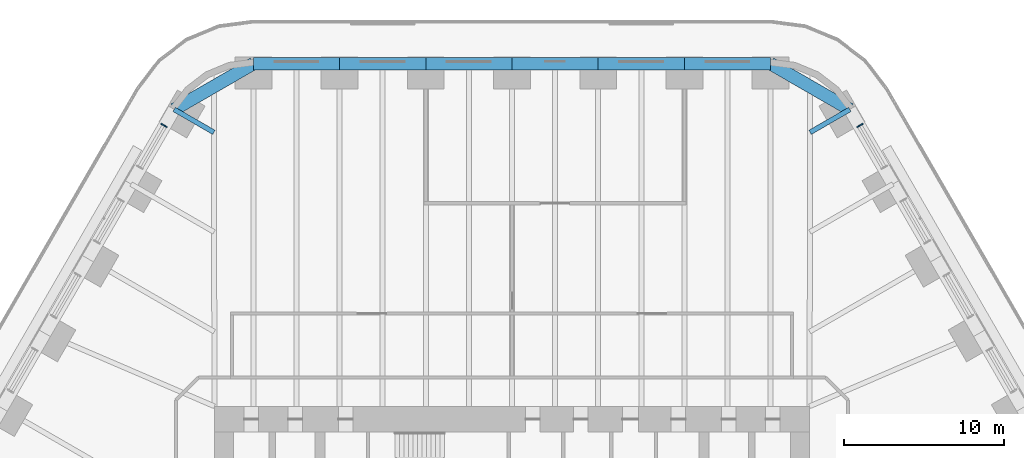
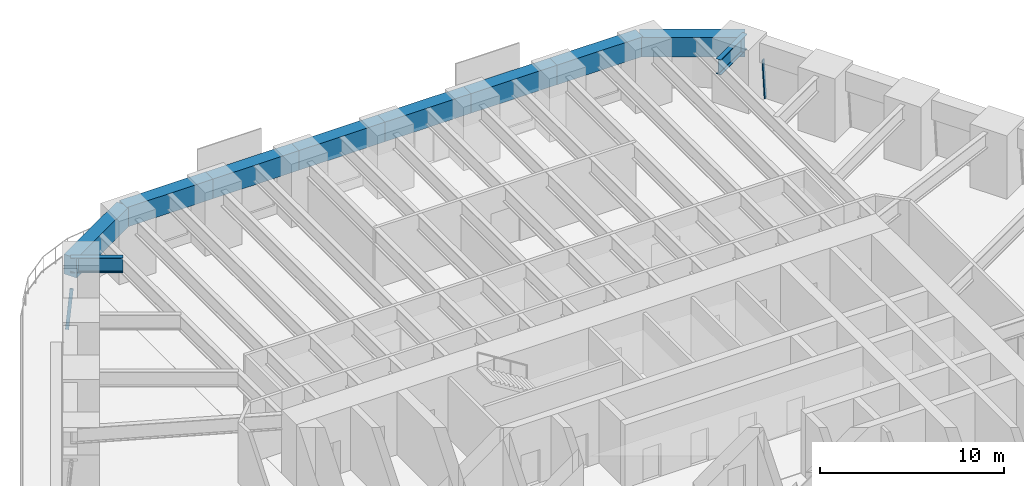
# One storey, part 14 of 23: 10 beams, 2 members, 2 elements without a shape of their own.
"""IFC4 building model written with IfcOpenShell, lengths in metres."""

from ifc_helpers import new_model, si_unit, direction, frame, origin, origin_2d, place, context, subcontext, project, spatial, rectangle, i_section, extrude, material, material_profile, profile_set, type_object, element, aggregate, save


model = new_model("IFC4")

# Units and contexts
model_context = context("Model", 3, precision=1e-05, world=origin(), true_north=direction((0.0, 1.0)))
body_context = subcontext(model_context, "Body", "Model", "MODEL_VIEW")
ifc_project = project(units=[si_unit("LENGTHUNIT", "METRE"), si_unit("AREAUNIT", "SQUARE_METRE"), si_unit("VOLUMEUNIT", "CUBIC_METRE"), si_unit("PLANEANGLEUNIT", "RADIAN"), si_unit("MASSUNIT", "GRAM", prefix="KILO")], contexts=[model_context])

# Site, building, storey
site_placement = place(None, origin())
site = spatial("IfcSite", under=ifc_project, at=site_placement, CompositionType="ELEMENT")
building_placement = place(site_placement, origin())
building = spatial("IfcBuilding", under=site, at=building_placement, Name="Tarfa Lantern Tower", CompositionType="ELEMENT")
storey_placement = place(building_placement, frame((0.0, 0.0, 36.10009765625)))
storey = spatial("IfcBuildingStorey", under=building, at=storey_placement, Name="L07", CompositionType="ELEMENT", Elevation=36.10009765625)

# Curtain wall, member
ifc_material_1 = material(Name="Aluminium framed curtain wall", Category="aluminium")
curtain_wall_type = type_object("IfcCurtainWallType", Name="CW1 CANTED GLAZING LOW ZONE 2700", PredefinedType="USERDEFINED", material=ifc_material_1)
curtain_wall_1_placement = place(storey_placement, origin())
curtain_wall_1 = element("IfcCurtainWall", 1, at=curtain_wall_1_placement, inside=storey, type_object=curtain_wall_type, Name="CW1 NE L07", ObjectType="CURTAIN WALL", PredefinedType="USERDEFINED")
ifc_material_2 = material(Name="Aluminium mullion", Category="aluminium")
ifc_material_profile_1 = material_profile(ifc_material_2, rectangle(XDim=0.06494140625, YDim=0.199951171875, at=origin_2d()), Name="AL MULLION 65x200")
ifc_profile_set_1 = profile_set([ifc_material_profile_1], Name="Aluminium mullion")
member_type = type_object("IfcMemberType", Name="CWM1 MULLION 65x200", PredefinedType="MULLION", material=ifc_profile_set_1)
member_1_placement = place(storey_placement, frame((21.86669921875, 29.926025390625, 0.0), z_axis=(-0.07986442134, -0.046099868913, 0.99573916077), x_axis=(0.499919672301, -0.866071776036, 0.0)))
member_1 = element("IfcMember", 2, at=member_1_placement, type_object=member_type, Name="CW1 mullion 2", PredefinedType="MULLION", context=body_context, shape_type="SweptSolid", body=[
    extrude(rectangle(XDim=0.06494140625, YDim=0.199951171875, at=origin_2d()), origin(), (0.0, 0.0, 1.0), 2.71142578125),
])
aggregate(curtain_wall_1, [member_1])

curtain_wall_2_placement = place(storey_placement, origin())
curtain_wall_2 = element("IfcCurtainWall", 3, at=curtain_wall_2_placement, inside=storey, type_object=curtain_wall_type, Name="CW1 NW L07", ObjectType="CURTAIN WALL", PredefinedType="USERDEFINED")
member_2_placement = place(storey_placement, frame((-21.86669921875, 29.926025390625, 0.0), z_axis=(0.07986442134, -0.046099868913, 0.99573916077), x_axis=(0.499919672301, 0.866071776036, 0.0)))
member_2 = element("IfcMember", 4, at=member_2_placement, type_object=member_type, Name="CW1 mullion 1", PredefinedType="MULLION", context=body_context, shape_type="SweptSolid", body=[
    extrude(rectangle(XDim=0.06494140625, YDim=0.199951171875, at=origin_2d()), origin(), (0.0, 0.0, 1.0), 2.71142578125),
])
aggregate(curtain_wall_2, [member_2])

# Beams
ifc_material_3 = material(Name="Concrete C80/95", Category="concrete")
ifc_material_profile_2 = material_profile(ifc_material_3, rectangle(XDim=0.800048828125, YDim=1.300048828125, at=origin_2d()), Name="RC 800x1300")
ifc_profile_set_2 = profile_set([ifc_material_profile_2], Name="Concrete C80/95")
beam_type_1 = type_object("IfcBeamType", Name="EB1 RC 800x1300", PredefinedType="SPANDREL", material=ifc_profile_set_2)
beam_1_placement = place(storey_placement, frame((21.119384765625, 30.860107421875, 3.349853515625), z_axis=(-0.866033479681, 0.499986011877, 0.0), x_axis=(-0.499986011877, -0.866033479681, 0.0)))
element("IfcBeam", 5, at=beam_1_placement, inside=storey, type_object=beam_type_1, Name="Edge beam NE6", PredefinedType="SPANDREL", context=body_context, shape_type="SweptSolid", body=[
    extrude(rectangle(XDim=0.800048828125, YDim=1.300048828125, at=origin_2d()), origin(), (0.0, 0.0, 1.0), 5.719970703125),
])
beam_2_placement = place(storey_placement, frame((16.165771484375, 33.719970703125, 3.349853515625), z_axis=(-1.0, 0.0, 0.0), x_axis=(0.0, -1.0, 0.0)))
element("IfcBeam", 6, at=beam_2_placement, inside=storey, type_object=beam_type_1, Name="Edge beam N0", PredefinedType="SPANDREL", context=body_context, shape_type="SweptSolid", body=[
    extrude(rectangle(XDim=0.800048828125, YDim=1.300048828125, at=origin_2d()), origin(), (0.0, 0.0, 1.0), 5.388671875),
])
beam_3_placement = place(storey_placement, frame((10.777099609375, 33.719970703125, 3.349853515625), z_axis=(-1.0, 0.0, 0.0), x_axis=(0.0, -1.0, 0.0)))
element("IfcBeam", 7, at=beam_3_placement, inside=storey, type_object=beam_type_1, Name="Edge beam N1", PredefinedType="SPANDREL", context=body_context, shape_type="SweptSolid", body=[
    extrude(rectangle(XDim=0.800048828125, YDim=1.300048828125, at=origin_2d()), origin(), (0.0, 0.0, 1.0), 5.388427734375),
])
for number, where, z_axis, x_axis, name in (
    (8, (5.388671875, 33.719970703125, 3.349853515625), (-1.0, 0.0, 0.0), (0.0, -1.0, 0.0), "Edge beam N2"),
    (9, (0.0, 33.719970703125, 3.349853515625), (-1.0, 0.0, 0.0), (0.0, -1.0, 0.0), "Edge beam N3"),
):
    element("IfcBeam", number, at=place(storey_placement, frame(where, z_axis=z_axis, x_axis=x_axis)), inside=storey, type_object=beam_type_1, Name=name, PredefinedType="SPANDREL", context=body_context, shape_type="SweptSolid", body=[
        extrude(rectangle(XDim=0.800048828125, YDim=1.300048828125, at=origin_2d()), origin(), (0.0, 0.0, 1.0), 5.388671875),
    ])
beam_4_placement = place(storey_placement, frame((-5.388671875, 33.719970703125, 3.349853515625), z_axis=(-1.0, 0.0, 0.0), x_axis=(0.0, -1.0, 0.0)))
element("IfcBeam", 10, at=beam_4_placement, inside=storey, type_object=beam_type_1, Name="Edge beam N4", PredefinedType="SPANDREL", context=body_context, shape_type="SweptSolid", body=[
    extrude(rectangle(XDim=0.800048828125, YDim=1.300048828125, at=origin_2d()), origin(), (0.0, 0.0, 1.0), 5.388427734375),
])
beam_5_placement = place(storey_placement, frame((-10.777099609375, 33.719970703125, 3.349853515625), z_axis=(-1.0, 0.0, 0.0), x_axis=(0.0, -1.0, 0.0)))
element("IfcBeam", 11, at=beam_5_placement, inside=storey, type_object=beam_type_1, Name="Edge beam N5", PredefinedType="SPANDREL", context=body_context, shape_type="SweptSolid", body=[
    extrude(rectangle(XDim=0.800048828125, YDim=1.300048828125, at=origin_2d()), origin(), (0.0, 0.0, 1.0), 5.388671875),
])
beam_6_placement = place(storey_placement, frame((-16.165771484375, 33.719970703125, 3.349853515625), z_axis=(-0.866033479681, -0.499986011877, 0.0), x_axis=(0.499986011877, -0.866033479681, 0.0)))
element("IfcBeam", 12, at=beam_6_placement, inside=storey, type_object=beam_type_1, Name="Edge beam N6", PredefinedType="SPANDREL", context=body_context, shape_type="SweptSolid", body=[
    extrude(rectangle(XDim=0.800048828125, YDim=1.300048828125, at=origin_2d()), origin(), (0.0, 0.0, 1.0), 5.719970703125),
])
ifc_material_4 = material(Name="Steel S460M", Category="steel")
ifc_material_profile_3 = material_profile(ifc_material_4, i_section(OverallWidth=0.302001953125, OverallDepth=1.008056640625, WebThickness=0.02099609375, FlangeThickness=0.0400390625, FilletRadius=0.030029296875, at=origin_2d()), Name="UB1016x305x349")
ifc_profile_set_3 = profile_set([ifc_material_profile_3], Name="Steel S460M")
beam_type_2 = type_object("IfcBeamType", Name="UB1016x305x349", PredefinedType="BEAM", material=ifc_profile_set_3)
for number, where, z_axis, x_axis, name in (
    (13, (21.119384765625, 30.860107421875, 3.495849609375), (-0.866012580594, -0.500022209759, 0.0), (0.500022209759, -0.866012580594, 0.0), "Floor beam NE6"),
    (14, (-21.119384765625, 30.860107421875, 3.495849609375), (0.866012580594, -0.500022209759, 0.0), (0.500022209759, 0.866012580594, 0.0), "Floor beam NW0"),
):
    element("IfcBeam", number, at=place(storey_placement, frame(where, z_axis=z_axis, x_axis=x_axis)), inside=storey, type_object=beam_type_2, Name=name, PredefinedType="BEAM", context=body_context, shape_type="SweptSolid", body=[
        extrude(i_section(OverallWidth=0.302001953125, OverallDepth=1.008056640625, WebThickness=0.02099609375, FlangeThickness=0.0400390625, FilletRadius=0.030029296875, at=origin_2d()), origin(), (0.0, 0.0, 1.0), 2.866943359375),
    ])

save(model, "model.ifc")
